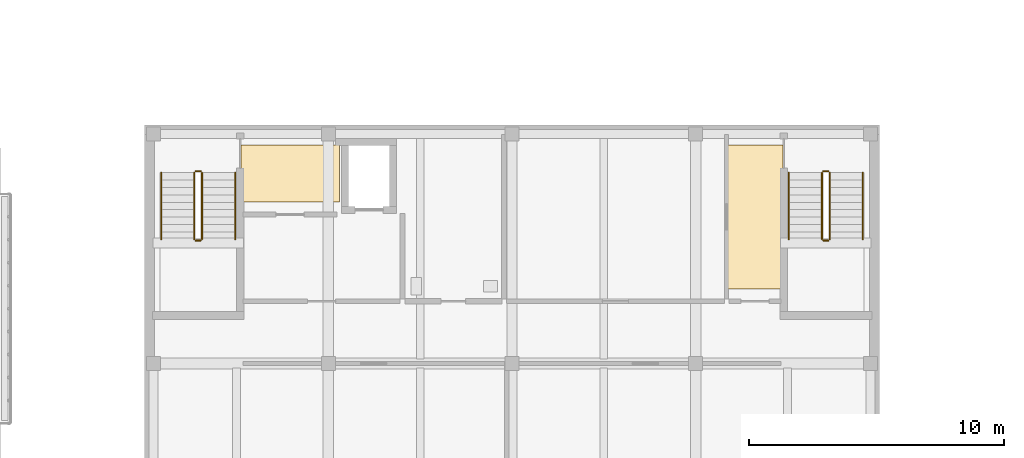
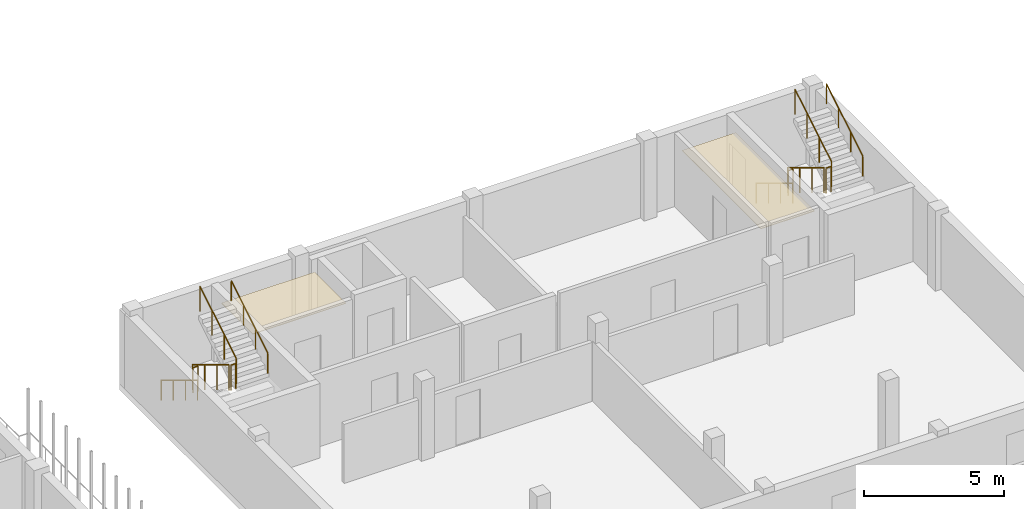
# One storey, part 60 of 73: 12 railings, 2 coverings.
"""IFC4 building model written with IfcOpenShell, lengths in metres."""

from ifc_helpers import new_model, si_unit, derived_unit, direction, frame, origin, origin_2d, place, context, subcontext, project, spatial, polyline, circle, outline, extrude, material, layer, layer_set, type_object, element, save


model = new_model("IFC4")

# Units and contexts
model_context = context("Model", 3, precision=1e-05, world=origin(), true_north=direction((0.0, 1.0)))
body_context = subcontext(model_context, "Body", "Model", "MODEL_VIEW")
ifc_project = project(units=[si_unit("LENGTHUNIT", "METRE"), si_unit("AREAUNIT", "SQUARE_METRE"), si_unit("VOLUMEUNIT", "CUBIC_METRE"), si_unit("PLANEANGLEUNIT", "RADIAN"), si_unit("MASSUNIT", "GRAM", prefix="KILO"), derived_unit("THERMALTRANSMITTANCEUNIT", [(si_unit("MASSUNIT", "GRAM", prefix="KILO"), 1), (si_unit("TIMEUNIT", "SECOND"), -3), (si_unit("THERMODYNAMICTEMPERATUREUNIT", "KELVIN"), -1)])], contexts=[model_context])

# Site, building, storey
site_placement = place(None, origin())
site = spatial("IfcSite", under=ifc_project, at=site_placement, CompositionType="ELEMENT")
building_placement = place(site_placement, origin())
building = spatial("IfcBuilding", under=site, at=building_placement, Name="Ochrekiln Boulevard Commons", CompositionType="ELEMENT")
storey_placement = place(building_placement, frame((0.0, 0.0, 8.574951171875)))
storey = spatial("IfcBuildingStorey", under=building, at=storey_placement, Name="L02", CompositionType="ELEMENT", Elevation=8.574951171875)

# Coverings
ifc_material_1 = material(Name="Mineral-fibre acoustic ceiling tile")
ifc_layer = layer(ifc_material_1, 0.02490234375)
ifc_layer_set = layer_set([ifc_layer], Name="Mineral-fibre acoustic ceiling tile")
covering_type = type_object("IfcCoveringType", Name="COV-CEIL-AC", PredefinedType="CEILING", material=ifc_layer_set)
covering_1_placement = place(storey_placement, frame((0.0, 0.0, 2.650146484375)))
element("IfcCovering", 1, at=covering_1_placement, inside=storey, type_object=covering_type, Name="L02 Acoustic Corridor Ceiling 35", PredefinedType="CEILING", context=body_context, shape_type="SweptSolid", body=[
    extrude(outline(polyline([(32.570068359375, 18.580078125), (36.429931640625, 18.580078125), (36.429931640625, 20.820068359375), (32.570068359375, 20.820068359375), (32.570068359375, 18.580078125)])), origin(), (0.0, 0.0, 1.0), 0.02490234375),
])
covering_2_placement = place(storey_placement, frame((0.0, 0.0, 2.650146484375)))
element("IfcCovering", 2, at=covering_2_placement, inside=storey, type_object=covering_type, Name="L02 Acoustic Corridor Ceiling 36", PredefinedType="CEILING", context=body_context, shape_type="SweptSolid", body=[
    extrude(outline(polyline([(51.6201171875, 15.179931640625), (53.830078125, 15.179931640625), (53.830078125, 20.820068359375), (51.6201171875, 20.820068359375), (51.6201171875, 15.179931640625)])), origin(), (0.0, 0.0, 1.0), 0.02490234375),
])

# Railings
ifc_material_2 = material(Name="Brushed stainless steel 316 tubular railing", Category="steel")
railing_type_1 = type_object("IfcRailingType", Name="RLG-HDR-900", PredefinedType="HANDRAIL", material=ifc_material_2)
railing_1_placement = place(storey_placement, frame((29.449951171875, 19.72998046875, 0.175048828125)))
element("IfcRailing", 3, at=railing_1_placement, inside=storey, type_object=railing_type_1, Name="L02 ST-W1 stair handrail 1", PredefinedType="HANDRAIL", context=body_context, shape_type="SweptSolid", body=[
    extrude(circle(Radius=0.02392578125, at=origin_2d()), frame((0.0, 0.0, 0.8759765625), z_axis=(0.0, -0.85618277418, 0.516673066065), x_axis=(1.0, 0.0, 0.0)), (0.0, 0.0, 1.0), 3.04833984375),
    extrude(circle(Radius=0.02099609375, at=origin_2d()), origin(), (0.0, 0.0, 1.0), 0.851806640625),
    extrude(circle(Radius=0.02099609375, at=origin_2d()), frame((0.0, -0.869873046875, 0.52490234375)), (0.0, 0.0, 1.0), 0.851806640625),
    extrude(circle(Radius=0.02099609375, at=origin_2d()), frame((0.0, -1.739990234375, 1.050048828125)), (0.0, 0.0, 1.0), 0.851806640625),
    extrude(circle(Radius=0.02099609375, at=origin_2d()), frame((0.0, -2.60986328125, 1.574951171875)), (0.0, 0.0, 1.0), 0.851806640625),
])
railing_2_placement = place(storey_placement, frame((32.35009765625, 17.1201171875, 1.925048828125)))
element("IfcRailing", 4, at=railing_2_placement, inside=storey, type_object=railing_type_1, Name="L02 ST-W1 stair handrail 2", PredefinedType="HANDRAIL", context=body_context, shape_type="SweptSolid", body=[
    extrude(circle(Radius=0.02392578125, at=origin_2d()), frame((0.0, 0.0, 0.8759765625), z_axis=(0.0, 0.85618277418, 0.516673066065), x_axis=(-1.0, 0.0, 0.0)), (0.0, 0.0, 1.0), 3.04833984375),
    extrude(circle(Radius=0.02099609375, at=origin_2d()), origin(), (0.0, 0.0, 1.0), 0.851806640625),
    extrude(circle(Radius=0.02099609375, at=origin_2d()), frame((0.0, 0.869873046875, 0.52490234375)), (0.0, 0.0, 1.0), 0.851806640625),
    extrude(circle(Radius=0.02099609375, at=origin_2d()), frame((0.0, 1.739990234375, 1.050048828125)), (0.0, 0.0, 1.0), 0.851806640625),
    extrude(circle(Radius=0.02099609375, at=origin_2d()), frame((0.0, 2.60986328125, 1.574951171875)), (0.0, 0.0, 1.0), 0.851806640625),
])
railing_3_placement = place(storey_placement, frame((54.050048828125, 19.72998046875, 0.175048828125)))
element("IfcRailing", 5, at=railing_3_placement, inside=storey, type_object=railing_type_1, Name="L02 ST-W2 stair handrail 1", PredefinedType="HANDRAIL", context=body_context, shape_type="SweptSolid", body=[
    extrude(circle(Radius=0.02392578125, at=origin_2d()), frame((0.0, 0.0, 0.8759765625), z_axis=(0.0, -0.85618277418, 0.516673066065), x_axis=(1.0, 0.0, 0.0)), (0.0, 0.0, 1.0), 3.04833984375),
    extrude(circle(Radius=0.02099609375, at=origin_2d()), origin(), (0.0, 0.0, 1.0), 0.851806640625),
    extrude(circle(Radius=0.02099609375, at=origin_2d()), frame((0.0, -0.869873046875, 0.52490234375)), (0.0, 0.0, 1.0), 0.851806640625),
    extrude(circle(Radius=0.02099609375, at=origin_2d()), frame((0.0, -1.739990234375, 1.050048828125)), (0.0, 0.0, 1.0), 0.851806640625),
    extrude(circle(Radius=0.02099609375, at=origin_2d()), frame((0.0, -2.60986328125, 1.574951171875)), (0.0, 0.0, 1.0), 0.851806640625),
])
railing_4_placement = place(storey_placement, frame((56.949951171875, 17.1201171875, 1.925048828125)))
element("IfcRailing", 6, at=railing_4_placement, inside=storey, type_object=railing_type_1, Name="L02 ST-W2 stair handrail 2", PredefinedType="HANDRAIL", context=body_context, shape_type="SweptSolid", body=[
    extrude(circle(Radius=0.02392578125, at=origin_2d()), frame((0.0, 0.0, 0.8759765625), z_axis=(0.0, 0.85618277418, 0.516673066065), x_axis=(-1.0, 0.0, 0.0)), (0.0, 0.0, 1.0), 3.04833984375),
    extrude(circle(Radius=0.02099609375, at=origin_2d()), origin(), (0.0, 0.0, 1.0), 0.851806640625),
    extrude(circle(Radius=0.02099609375, at=origin_2d()), frame((0.0, 0.869873046875, 0.52490234375)), (0.0, 0.0, 1.0), 0.851806640625),
    extrude(circle(Radius=0.02099609375, at=origin_2d()), frame((0.0, 1.739990234375, 1.050048828125)), (0.0, 0.0, 1.0), 0.851806640625),
    extrude(circle(Radius=0.02099609375, at=origin_2d()), frame((0.0, 2.60986328125, 1.574951171875)), (0.0, 0.0, 1.0), 0.851806640625),
])
railing_type_2 = type_object("IfcRailingType", Name="RLG-STR-1120", PredefinedType="BALUSTRADE", material=ifc_material_2)
railing_5_placement = place(storey_placement, frame((30.75, 19.72998046875, 0.175048828125)))
element("IfcRailing", 7, at=railing_5_placement, inside=storey, type_object=railing_type_2, Name="L02 ST-W1 stair guard 1", PredefinedType="BALUSTRADE", context=body_context, shape_type="SweptSolid", body=[
    extrude(circle(Radius=0.02392578125, at=origin_2d()), frame((0.0, 0.0, 1.09619140625), z_axis=(0.0, -0.85618277418, 0.516673066065), x_axis=(1.0, 0.0, 0.0)), (0.0, 0.0, 1.0), 3.04833984375),
    extrude(circle(Radius=0.02099609375, at=origin_2d()), origin(), (0.0, 0.0, 1.0), 1.072021484375),
    extrude(circle(Radius=0.02099609375, at=origin_2d()), frame((0.0, -0.869873046875, 0.52490234375)), (0.0, 0.0, 1.0), 1.072021484375),
    extrude(circle(Radius=0.02099609375, at=origin_2d()), frame((0.0, -1.739990234375, 1.050048828125)), (0.0, 0.0, 1.0), 1.072021484375),
    extrude(circle(Radius=0.02099609375, at=origin_2d()), frame((0.0, -2.60986328125, 1.574951171875)), (0.0, 0.0, 1.0), 1.072021484375),
])
railing_6_placement = place(storey_placement, frame((30.800048828125, 17.070068359375, 1.75)))
element("IfcRailing", 8, at=railing_6_placement, inside=storey, type_object=railing_type_2, Name="L02 ST-W1 stair guard 2", PredefinedType="BALUSTRADE", context=body_context, shape_type="SweptSolid", body=[
    extrude(circle(Radius=0.02392578125, at=origin_2d()), frame((0.0, 0.0, 1.09619140625), z_axis=(1.0, 0.0, 0.0), x_axis=(0.0, 1.0, 0.0)), (0.0, 0.0, 1.0), 0.199951171875),
    extrude(circle(Radius=0.02099609375, at=origin_2d()), origin(), (0.0, 0.0, 1.0), 1.072021484375),
    extrude(circle(Radius=0.02099609375, at=origin_2d()), frame((0.199951171875, 0.0, 0.0)), (0.0, 0.0, 1.0), 1.072021484375),
])
railing_7_placement = place(storey_placement, frame((31.050048828125, 17.1201171875, 1.925048828125)))
element("IfcRailing", 9, at=railing_7_placement, inside=storey, type_object=railing_type_2, Name="L02 ST-W1 stair guard 3", PredefinedType="BALUSTRADE", context=body_context, shape_type="SweptSolid", body=[
    extrude(circle(Radius=0.02392578125, at=origin_2d()), frame((0.0, 0.0, 1.09619140625), z_axis=(0.0, 0.85618277418, 0.516673066065), x_axis=(-1.0, 0.0, 0.0)), (0.0, 0.0, 1.0), 3.04833984375),
    extrude(circle(Radius=0.02099609375, at=origin_2d()), origin(), (0.0, 0.0, 1.0), 1.072021484375),
    extrude(circle(Radius=0.02099609375, at=origin_2d()), frame((0.0, 0.869873046875, 0.52490234375)), (0.0, 0.0, 1.0), 1.072021484375),
    extrude(circle(Radius=0.02099609375, at=origin_2d()), frame((0.0, 1.739990234375, 1.050048828125)), (0.0, 0.0, 1.0), 1.072021484375),
    extrude(circle(Radius=0.02099609375, at=origin_2d()), frame((0.0, 2.60986328125, 1.574951171875)), (0.0, 0.0, 1.0), 1.072021484375),
])
railing_8_placement = place(storey_placement, frame((30.800048828125, 19.780029296875, 0.0)))
element("IfcRailing", 10, at=railing_8_placement, inside=storey, type_object=railing_type_2, Name="L02 ST-W1 stair guard 4", PredefinedType="BALUSTRADE", context=body_context, shape_type="SweptSolid", body=[
    extrude(circle(Radius=0.02392578125, at=origin_2d()), frame((0.0, 0.0, 1.09619140625), z_axis=(1.0, 0.0, 0.0), x_axis=(0.0, 1.0, 0.0)), (0.0, 0.0, 1.0), 0.199951171875),
    extrude(circle(Radius=0.02099609375, at=origin_2d()), origin(), (0.0, 0.0, 1.0), 1.072021484375),
    extrude(circle(Radius=0.02099609375, at=origin_2d()), frame((0.199951171875, 0.0, 0.0)), (0.0, 0.0, 1.0), 1.072021484375),
])
railing_9_placement = place(storey_placement, frame((55.35009765625, 19.72998046875, 0.175048828125)))
element("IfcRailing", 11, at=railing_9_placement, inside=storey, type_object=railing_type_2, Name="L02 ST-W2 stair guard 1", PredefinedType="BALUSTRADE", context=body_context, shape_type="SweptSolid", body=[
    extrude(circle(Radius=0.02392578125, at=origin_2d()), frame((0.0, 0.0, 1.09619140625), z_axis=(0.0, -0.85618277418, 0.516673066065), x_axis=(1.0, 0.0, 0.0)), (0.0, 0.0, 1.0), 3.04833984375),
    extrude(circle(Radius=0.02099609375, at=origin_2d()), origin(), (0.0, 0.0, 1.0), 1.072021484375),
    extrude(circle(Radius=0.02099609375, at=origin_2d()), frame((0.0, -0.869873046875, 0.52490234375)), (0.0, 0.0, 1.0), 1.072021484375),
    extrude(circle(Radius=0.02099609375, at=origin_2d()), frame((0.0, -1.739990234375, 1.050048828125)), (0.0, 0.0, 1.0), 1.072021484375),
    extrude(circle(Radius=0.02099609375, at=origin_2d()), frame((0.0, -2.60986328125, 1.574951171875)), (0.0, 0.0, 1.0), 1.072021484375),
])
railing_10_placement = place(storey_placement, frame((55.39990234375, 17.070068359375, 1.75)))
element("IfcRailing", 12, at=railing_10_placement, inside=storey, type_object=railing_type_2, Name="L02 ST-W2 stair guard 2", PredefinedType="BALUSTRADE", context=body_context, shape_type="SweptSolid", body=[
    extrude(circle(Radius=0.02392578125, at=origin_2d()), frame((0.0, 0.0, 1.09619140625), z_axis=(1.0, 0.0, 0.0), x_axis=(0.0, 1.0, 0.0)), (0.0, 0.0, 1.0), 0.2001953125),
    extrude(circle(Radius=0.02099609375, at=origin_2d()), origin(), (0.0, 0.0, 1.0), 1.072021484375),
    extrude(circle(Radius=0.02099609375, at=origin_2d()), frame((0.2001953125, 0.0, 0.0)), (0.0, 0.0, 1.0), 1.072021484375),
])
railing_11_placement = place(storey_placement, frame((55.64990234375, 17.1201171875, 1.925048828125)))
element("IfcRailing", 13, at=railing_11_placement, inside=storey, type_object=railing_type_2, Name="L02 ST-W2 stair guard 3", PredefinedType="BALUSTRADE", context=body_context, shape_type="SweptSolid", body=[
    extrude(circle(Radius=0.02392578125, at=origin_2d()), frame((0.0, 0.0, 1.09619140625), z_axis=(0.0, 0.85618277418, 0.516673066065), x_axis=(-1.0, 0.0, 0.0)), (0.0, 0.0, 1.0), 3.04833984375),
    extrude(circle(Radius=0.02099609375, at=origin_2d()), origin(), (0.0, 0.0, 1.0), 1.072021484375),
    extrude(circle(Radius=0.02099609375, at=origin_2d()), frame((0.0, 0.869873046875, 0.52490234375)), (0.0, 0.0, 1.0), 1.072021484375),
    extrude(circle(Radius=0.02099609375, at=origin_2d()), frame((0.0, 1.739990234375, 1.050048828125)), (0.0, 0.0, 1.0), 1.072021484375),
    extrude(circle(Radius=0.02099609375, at=origin_2d()), frame((0.0, 2.60986328125, 1.574951171875)), (0.0, 0.0, 1.0), 1.072021484375),
])
railing_12_placement = place(storey_placement, frame((55.39990234375, 19.780029296875, 0.0)))
element("IfcRailing", 14, at=railing_12_placement, inside=storey, type_object=railing_type_2, Name="L02 ST-W2 stair guard 4", PredefinedType="BALUSTRADE", context=body_context, shape_type="SweptSolid", body=[
    extrude(circle(Radius=0.02392578125, at=origin_2d()), frame((0.0, 0.0, 1.09619140625), z_axis=(1.0, 0.0, 0.0), x_axis=(0.0, 1.0, 0.0)), (0.0, 0.0, 1.0), 0.2001953125),
    extrude(circle(Radius=0.02099609375, at=origin_2d()), origin(), (0.0, 0.0, 1.0), 1.072021484375),
    extrude(circle(Radius=0.02099609375, at=origin_2d()), frame((0.2001953125, 0.0, 0.0)), (0.0, 0.0, 1.0), 1.072021484375),
])

save(model, "model.ifc")
